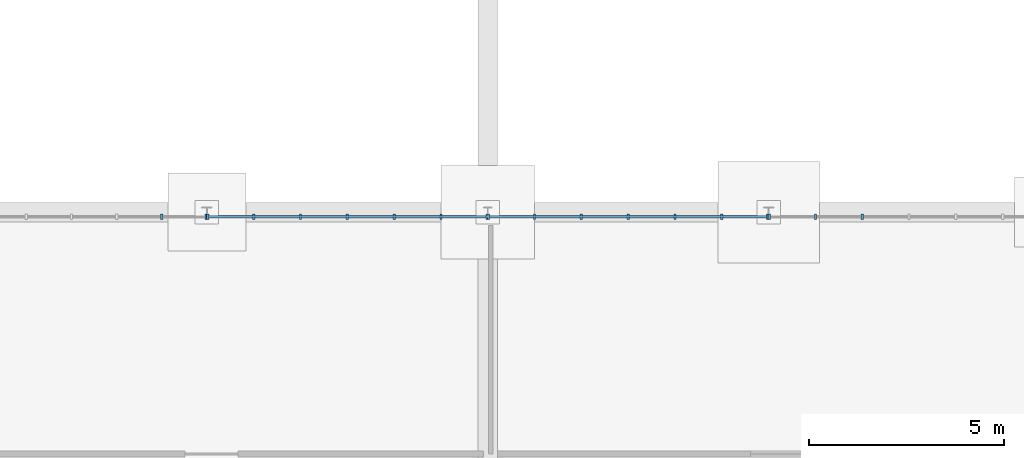
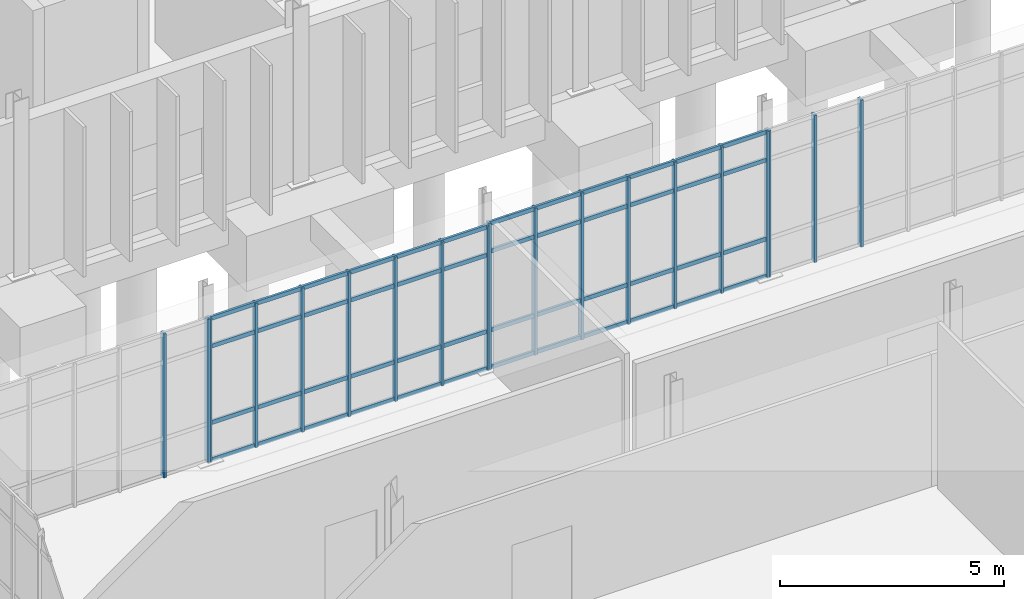
# One storey, part 35 of 118: 27 members, 4 elements without a shape of their own.
"""IFC4 building model written with IfcOpenShell, lengths in metres."""

from ifc_helpers import new_model, si_unit, direction, frame, origin, origin_2d, place, context, subcontext, project, spatial, rectangle, extrude, material, material_profile, profile_set, type_object, element, aggregate, save


model = new_model("IFC4")

# Units and contexts
model_context = context("Model", 3, precision=1e-05, world=origin(), true_north=direction((0.0, 1.0)))
body_context = subcontext(model_context, "Body", "Model", "MODEL_VIEW")
ifc_project = project(units=[si_unit("LENGTHUNIT", "METRE"), si_unit("AREAUNIT", "SQUARE_METRE"), si_unit("VOLUMEUNIT", "CUBIC_METRE"), si_unit("PLANEANGLEUNIT", "RADIAN"), si_unit("MASSUNIT", "GRAM", prefix="KILO")], contexts=[model_context])

# Site, building, storey
site_placement = place(None, origin())
site = spatial("IfcSite", under=ifc_project, at=site_placement, CompositionType="ELEMENT")
building_placement = place(site_placement, origin())
building = spatial("IfcBuilding", under=site, at=building_placement, Name="Qelthora Terrace Specialist Clinic", CompositionType="ELEMENT")
storey_placement = place(building_placement, origin())
storey = spatial("IfcBuildingStorey", under=building, at=storey_placement, Name="L00", CompositionType="ELEMENT", Elevation=0.0)

# Curtain wall, members
ifc_material = material(Name="Aluminium anodized bronze", Category="aluminium")
curtain_wall_type = type_object("IfcCurtainWallType", Name="CW-CONS-X", PredefinedType="NOTDEFINED", material=ifc_material)
curtain_wall_1_placement = place(storey_placement, origin())
curtain_wall_1 = element("IfcCurtainWall", 1, at=curtain_wall_1_placement, inside=storey, type_object=curtain_wall_type, Name="Curtain wall CW-L00-214", PredefinedType="NOTDEFINED")
ifc_material_profile_1 = material_profile(ifc_material, rectangle(XDim=0.06005859375, YDim=0.14990234375, at=origin_2d()), Name="CWM60X150")
ifc_profile_set_1 = profile_set([ifc_material_profile_1], Name="Aluminium anodized bronze")
member_type_1 = type_object("IfcMemberType", Name="CWM-60X150", PredefinedType="MULLION", material=ifc_profile_set_1)
member_1_placement = place(storey_placement, frame((106.84326171875, 25.080078125, 0.0), z_axis=(0.0, 0.0, 1.0), x_axis=(1.0, 0.0, 0.0)))
member_1 = element("IfcMember", 2, at=member_1_placement, type_object=member_type_1, Name="CW-L00-214 mullion 6", PredefinedType="MULLION", context=body_context, shape_type="SweptSolid", body=[
    extrude(rectangle(XDim=0.06005859375, YDim=0.14990234375, at=origin_2d()), origin(), (0.0, 0.0, 1.0), 3.925048828125),
])
member_2_placement = place(storey_placement, frame((107.97998046875, 25.080078125, 0.0), z_axis=(0.0, 0.0, 1.0), x_axis=(1.0, 0.0, 0.0)))
member_2 = element("IfcMember", 3, at=member_2_placement, type_object=member_type_1, Name="CW-L00-214 mullion 7", PredefinedType="MULLION", context=body_context, shape_type="SweptSolid", body=[
    extrude(rectangle(XDim=0.06005859375, YDim=0.14990234375, at=origin_2d()), origin(), (0.0, 0.0, 1.0), 3.925048828125),
])
aggregate(curtain_wall_1, [member_1, member_2])

curtain_wall_2_placement = place(storey_placement, origin())
curtain_wall_2 = element("IfcCurtainWall", 4, at=curtain_wall_2_placement, inside=storey, type_object=curtain_wall_type, Name="Curtain wall CW-L00-215", PredefinedType="NOTDEFINED")
member_3_placement = place(storey_placement, frame((108.02001953125, 25.080078125, 0.0), z_axis=(0.0, 0.0, 1.0), x_axis=(1.0, 0.0, 0.0)))
member_3 = element("IfcMember", 5, at=member_3_placement, type_object=member_type_1, Name="CW-L00-215 mullion 1", PredefinedType="MULLION", context=body_context, shape_type="SweptSolid", body=[
    extrude(rectangle(XDim=0.06005859375, YDim=0.14990234375, at=origin_2d()), origin(), (0.0, 0.0, 1.0), 3.929931640625),
])
member_4_placement = place(storey_placement, frame((109.199951171875, 25.080078125, 0.0), z_axis=(0.0, 0.0, 1.0), x_axis=(1.0, 0.0, 0.0)))
member_4 = element("IfcMember", 6, at=member_4_placement, type_object=member_type_1, Name="CW-L00-215 mullion 2", PredefinedType="MULLION", context=body_context, shape_type="SweptSolid", body=[
    extrude(rectangle(XDim=0.06005859375, YDim=0.14990234375, at=origin_2d()), origin(), (0.0, 0.0, 1.0), 3.929931640625),
])
member_5_placement = place(storey_placement, frame((110.39990234375, 25.080078125, 0.0), z_axis=(0.0, 0.0, 1.0), x_axis=(1.0, 0.0, 0.0)))
member_5 = element("IfcMember", 7, at=member_5_placement, type_object=member_type_1, Name="CW-L00-215 mullion 3", PredefinedType="MULLION", context=body_context, shape_type="SweptSolid", body=[
    extrude(rectangle(XDim=0.06005859375, YDim=0.14990234375, at=origin_2d()), origin(), (0.0, 0.0, 1.0), 3.929931640625),
])
member_6_placement = place(storey_placement, frame((111.60009765625, 25.080078125, 0.0), z_axis=(0.0, 0.0, 1.0), x_axis=(1.0, 0.0, 0.0)))
member_6 = element("IfcMember", 8, at=member_6_placement, type_object=member_type_1, Name="CW-L00-215 mullion 4", PredefinedType="MULLION", context=body_context, shape_type="SweptSolid", body=[
    extrude(rectangle(XDim=0.06005859375, YDim=0.14990234375, at=origin_2d()), origin(), (0.0, 0.0, 1.0), 3.929931640625),
])
member_7_placement = place(storey_placement, frame((112.800048828125, 25.080078125, 0.0), z_axis=(0.0, 0.0, 1.0), x_axis=(1.0, 0.0, 0.0)))
member_7 = element("IfcMember", 9, at=member_7_placement, type_object=member_type_1, Name="CW-L00-215 mullion 5", PredefinedType="MULLION", context=body_context, shape_type="SweptSolid", body=[
    extrude(rectangle(XDim=0.06005859375, YDim=0.14990234375, at=origin_2d()), origin(), (0.0, 0.0, 1.0), 3.929931640625),
])
member_8_placement = place(storey_placement, frame((114.0, 25.080078125, 0.0), z_axis=(0.0, 0.0, 1.0), x_axis=(1.0, 0.0, 0.0)))
member_8 = element("IfcMember", 10, at=member_8_placement, type_object=member_type_1, Name="CW-L00-215 mullion 6", PredefinedType="MULLION", context=body_context, shape_type="SweptSolid", body=[
    extrude(rectangle(XDim=0.06005859375, YDim=0.14990234375, at=origin_2d()), origin(), (0.0, 0.0, 1.0), 3.929931640625),
])
member_9_placement = place(storey_placement, frame((115.179931640625, 25.080078125, 0.0), z_axis=(0.0, 0.0, 1.0), x_axis=(1.0, 0.0, 0.0)))
member_9 = element("IfcMember", 11, at=member_9_placement, type_object=member_type_1, Name="CW-L00-215 mullion 7", PredefinedType="MULLION", context=body_context, shape_type="SweptSolid", body=[
    extrude(rectangle(XDim=0.06005859375, YDim=0.14990234375, at=origin_2d()), origin(), (0.0, 0.0, 1.0), 3.929931640625),
])

curtain_wall_3_placement = place(storey_placement, origin())
curtain_wall_3 = element("IfcCurtainWall", 12, at=curtain_wall_3_placement, inside=storey, type_object=curtain_wall_type, Name="Curtain wall CW-L00-216", PredefinedType="NOTDEFINED")
member_10_placement = place(storey_placement, frame((115.219970703125, 25.080078125, 0.0), z_axis=(0.0, 0.0, 1.0), x_axis=(1.0, 0.0, 0.0)))
member_10 = element("IfcMember", 13, at=member_10_placement, type_object=member_type_1, Name="CW-L00-216 mullion 1", PredefinedType="MULLION", context=body_context, shape_type="SweptSolid", body=[
    extrude(rectangle(XDim=0.06005859375, YDim=0.14990234375, at=origin_2d()), origin(), (0.0, 0.0, 1.0), 3.998046875),
])
member_11_placement = place(storey_placement, frame((116.39990234375, 25.080078125, 0.0), z_axis=(0.0, 0.0, 1.0), x_axis=(1.0, 0.0, 0.0)))
member_11 = element("IfcMember", 14, at=member_11_placement, type_object=member_type_1, Name="CW-L00-216 mullion 2", PredefinedType="MULLION", context=body_context, shape_type="SweptSolid", body=[
    extrude(rectangle(XDim=0.06005859375, YDim=0.14990234375, at=origin_2d()), origin(), (0.0, 0.0, 1.0), 3.998046875),
])
member_12_placement = place(storey_placement, frame((117.60009765625, 25.080078125, 0.0), z_axis=(0.0, 0.0, 1.0), x_axis=(1.0, 0.0, 0.0)))
member_12 = element("IfcMember", 15, at=member_12_placement, type_object=member_type_1, Name="CW-L00-216 mullion 3", PredefinedType="MULLION", context=body_context, shape_type="SweptSolid", body=[
    extrude(rectangle(XDim=0.06005859375, YDim=0.14990234375, at=origin_2d()), origin(), (0.0, 0.0, 1.0), 3.998046875),
])
member_13_placement = place(storey_placement, frame((118.800048828125, 25.080078125, 0.0), z_axis=(0.0, 0.0, 1.0), x_axis=(1.0, 0.0, 0.0)))
member_13 = element("IfcMember", 16, at=member_13_placement, type_object=member_type_1, Name="CW-L00-216 mullion 4", PredefinedType="MULLION", context=body_context, shape_type="SweptSolid", body=[
    extrude(rectangle(XDim=0.06005859375, YDim=0.14990234375, at=origin_2d()), origin(), (0.0, 0.0, 1.0), 3.998046875),
])
member_14_placement = place(storey_placement, frame((120.0, 25.080078125, 0.0), z_axis=(0.0, 0.0, 1.0), x_axis=(1.0, 0.0, 0.0)))
member_14 = element("IfcMember", 17, at=member_14_placement, type_object=member_type_1, Name="CW-L00-216 mullion 5", PredefinedType="MULLION", context=body_context, shape_type="SweptSolid", body=[
    extrude(rectangle(XDim=0.06005859375, YDim=0.14990234375, at=origin_2d()), origin(), (0.0, 0.0, 1.0), 3.998046875),
])
member_15_placement = place(storey_placement, frame((121.199951171875, 25.080078125, 0.0), z_axis=(0.0, 0.0, 1.0), x_axis=(1.0, 0.0, 0.0)))
member_15 = element("IfcMember", 18, at=member_15_placement, type_object=member_type_1, Name="CW-L00-216 mullion 6", PredefinedType="MULLION", context=body_context, shape_type="SweptSolid", body=[
    extrude(rectangle(XDim=0.06005859375, YDim=0.14990234375, at=origin_2d()), origin(), (0.0, 0.0, 1.0), 3.998046875),
])
member_16_placement = place(storey_placement, frame((122.3798828125, 25.080078125, 0.0), z_axis=(0.0, 0.0, 1.0), x_axis=(1.0, 0.0, 0.0)))
member_16 = element("IfcMember", 19, at=member_16_placement, type_object=member_type_1, Name="CW-L00-216 mullion 7", PredefinedType="MULLION", context=body_context, shape_type="SweptSolid", body=[
    extrude(rectangle(XDim=0.06005859375, YDim=0.14990234375, at=origin_2d()), origin(), (0.0, 0.0, 1.0), 3.998046875),
])

curtain_wall_4_placement = place(storey_placement, origin())
curtain_wall_4 = element("IfcCurtainWall", 20, at=curtain_wall_4_placement, inside=storey, type_object=curtain_wall_type, Name="Curtain wall CW-L00-217", PredefinedType="NOTDEFINED")
member_17_placement = place(storey_placement, frame((122.419921875, 25.080078125, 0.0), z_axis=(0.0, 0.0, 1.0), x_axis=(1.0, 0.0, 0.0)))
member_17 = element("IfcMember", 21, at=member_17_placement, type_object=member_type_1, Name="CW-L00-217 mullion 1", PredefinedType="MULLION", context=body_context, shape_type="SweptSolid", body=[
    extrude(rectangle(XDim=0.06005859375, YDim=0.14990234375, at=origin_2d()), origin(), (0.0, 0.0, 1.0), 4.0048828125),
])
member_18_placement = place(storey_placement, frame((123.60009765625, 25.080078125, 0.0), z_axis=(0.0, 0.0, 1.0), x_axis=(1.0, 0.0, 0.0)))
member_18 = element("IfcMember", 22, at=member_18_placement, type_object=member_type_1, Name="CW-L00-217 mullion 2", PredefinedType="MULLION", context=body_context, shape_type="SweptSolid", body=[
    extrude(rectangle(XDim=0.06005859375, YDim=0.14990234375, at=origin_2d()), origin(), (0.0, 0.0, 1.0), 4.0048828125),
])
member_19_placement = place(storey_placement, frame((124.800048828125, 25.080078125, 0.0), z_axis=(0.0, 0.0, 1.0), x_axis=(1.0, 0.0, 0.0)))
member_19 = element("IfcMember", 23, at=member_19_placement, type_object=member_type_1, Name="CW-L00-217 mullion 3", PredefinedType="MULLION", context=body_context, shape_type="SweptSolid", body=[
    extrude(rectangle(XDim=0.06005859375, YDim=0.14990234375, at=origin_2d()), origin(), (0.0, 0.0, 1.0), 4.0048828125),
])
aggregate(curtain_wall_4, [member_17, member_18, member_19])

# Member
ifc_material_profile_2 = material_profile(ifc_material, rectangle(XDim=0.06005859375, YDim=0.110107421875, at=origin_2d()), Name="CWT60X110")
ifc_profile_set_2 = profile_set([ifc_material_profile_2], Name="Aluminium anodized bronze")
member_type_2 = type_object("IfcMemberType", Name="CWT-60X110", PredefinedType="USERDEFINED", material=ifc_profile_set_2)
member_20_placement = place(storey_placement, frame((108.0400390625, 25.080078125, 0.0400390625), z_axis=(1.0, 0.0, 0.0), x_axis=(0.0, 1.0, 0.0)))
member_20 = element("IfcMember", 24, at=member_20_placement, type_object=member_type_2, Name="CW-L00-215 transom 1", ObjectType="TRANSOM", PredefinedType="USERDEFINED", context=body_context, shape_type="SweptSolid", body=[
    extrude(rectangle(XDim=0.06005859375, YDim=0.110107421875, at=origin_2d()), origin(), (0.0, 0.0, 1.0), 7.119873046875),
])

member_21_placement = place(storey_placement, frame((108.0400390625, 25.080078125, 1.050048828125), z_axis=(1.0, 0.0, 0.0), x_axis=(0.0, 1.0, 0.0)))
member_21 = element("IfcMember", 25, at=member_21_placement, type_object=member_type_2, Name="CW-L00-215 transom 2", ObjectType="TRANSOM", PredefinedType="USERDEFINED", context=body_context, shape_type="SweptSolid", body=[
    extrude(rectangle(XDim=0.06005859375, YDim=0.110107421875, at=origin_2d()), origin(), (0.0, 0.0, 1.0), 7.119873046875),
])

member_22_placement = place(storey_placement, frame((108.0400390625, 25.080078125, 3.1298828125), z_axis=(1.0, 0.0, 0.0), x_axis=(0.0, 1.0, 0.0)))
member_22 = element("IfcMember", 26, at=member_22_placement, type_object=member_type_2, Name="CW-L00-215 transom 3", ObjectType="TRANSOM", PredefinedType="USERDEFINED", context=body_context, shape_type="SweptSolid", body=[
    extrude(rectangle(XDim=0.06005859375, YDim=0.110107421875, at=origin_2d()), origin(), (0.0, 0.0, 1.0), 7.119873046875),
])

member_23_placement = place(storey_placement, frame((108.0400390625, 25.080078125, 3.889892578125), z_axis=(1.0, 0.0, 0.0), x_axis=(0.0, 1.0, 0.0)))
member_23 = element("IfcMember", 27, at=member_23_placement, type_object=member_type_2, Name="CW-L00-215 transom 4", ObjectType="TRANSOM", PredefinedType="USERDEFINED", context=body_context, shape_type="SweptSolid", body=[
    extrude(rectangle(XDim=0.06005859375, YDim=0.110107421875, at=origin_2d()), origin(), (0.0, 0.0, 1.0), 7.119873046875),
])

aggregate(curtain_wall_2, [member_3, member_4, member_5, member_6, member_7, member_8, member_9, member_20, member_21, member_22, member_23])

member_24_placement = place(storey_placement, frame((115.239990234375, 25.080078125, 0.0400390625), z_axis=(1.0, 0.0, 0.0), x_axis=(0.0, 1.0, 0.0)))
member_24 = element("IfcMember", 28, at=member_24_placement, type_object=member_type_2, Name="CW-L00-216 transom 1", ObjectType="TRANSOM", PredefinedType="USERDEFINED", context=body_context, shape_type="SweptSolid", body=[
    extrude(rectangle(XDim=0.06005859375, YDim=0.110107421875, at=origin_2d()), origin(), (0.0, 0.0, 1.0), 7.1201171875),
])

member_25_placement = place(storey_placement, frame((115.239990234375, 25.080078125, 1.050048828125), z_axis=(1.0, 0.0, 0.0), x_axis=(0.0, 1.0, 0.0)))
member_25 = element("IfcMember", 29, at=member_25_placement, type_object=member_type_2, Name="CW-L00-216 transom 2", ObjectType="TRANSOM", PredefinedType="USERDEFINED", context=body_context, shape_type="SweptSolid", body=[
    extrude(rectangle(XDim=0.06005859375, YDim=0.110107421875, at=origin_2d()), origin(), (0.0, 0.0, 1.0), 7.1201171875),
])

member_26_placement = place(storey_placement, frame((115.239990234375, 25.080078125, 3.197998046875), z_axis=(1.0, 0.0, 0.0), x_axis=(0.0, 1.0, 0.0)))
member_26 = element("IfcMember", 30, at=member_26_placement, type_object=member_type_2, Name="CW-L00-216 transom 3", ObjectType="TRANSOM", PredefinedType="USERDEFINED", context=body_context, shape_type="SweptSolid", body=[
    extrude(rectangle(XDim=0.06005859375, YDim=0.110107421875, at=origin_2d()), origin(), (0.0, 0.0, 1.0), 7.1201171875),
])

member_27_placement = place(storey_placement, frame((115.239990234375, 25.080078125, 3.9580078125), z_axis=(1.0, 0.0, 0.0), x_axis=(0.0, 1.0, 0.0)))
member_27 = element("IfcMember", 31, at=member_27_placement, type_object=member_type_2, Name="CW-L00-216 transom 4", ObjectType="TRANSOM", PredefinedType="USERDEFINED", context=body_context, shape_type="SweptSolid", body=[
    extrude(rectangle(XDim=0.06005859375, YDim=0.110107421875, at=origin_2d()), origin(), (0.0, 0.0, 1.0), 7.1201171875),
])

aggregate(curtain_wall_3, [member_10, member_11, member_12, member_13, member_14, member_15, member_16, member_24, member_25, member_26, member_27])

save(model, "model.ifc")
